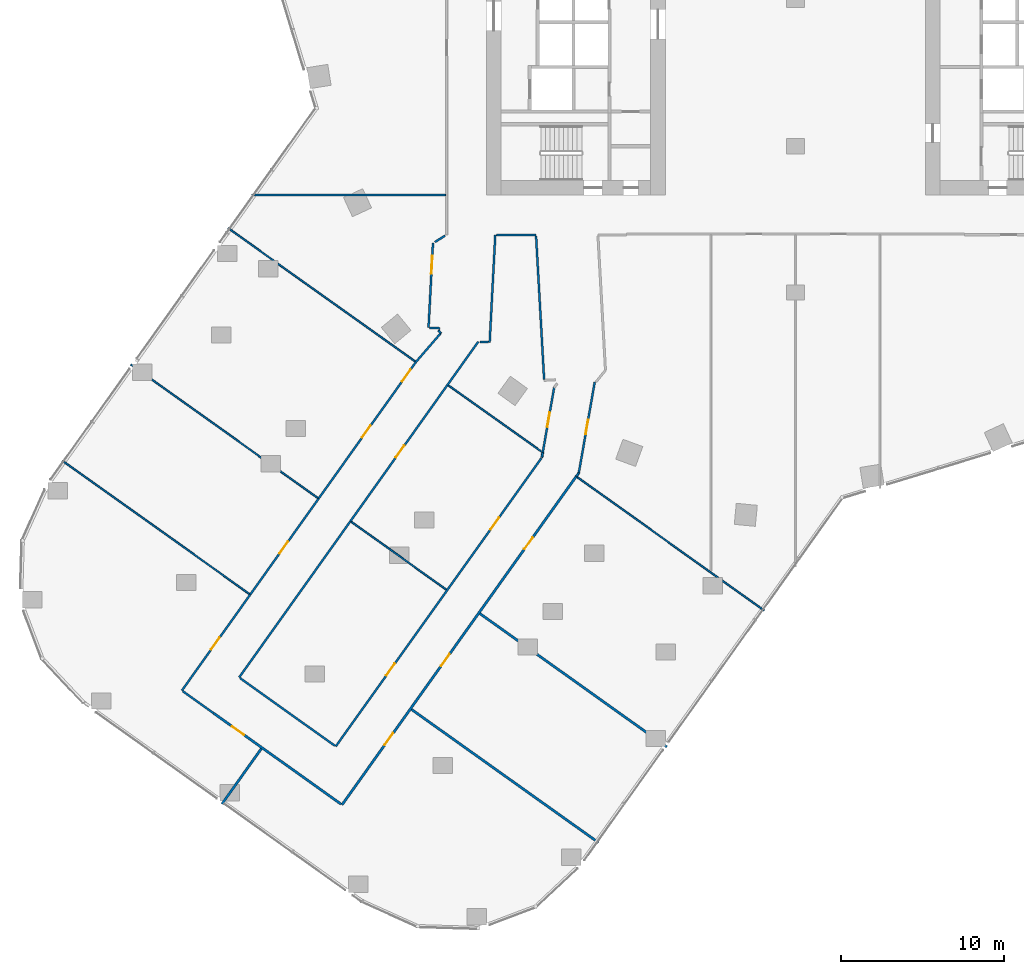
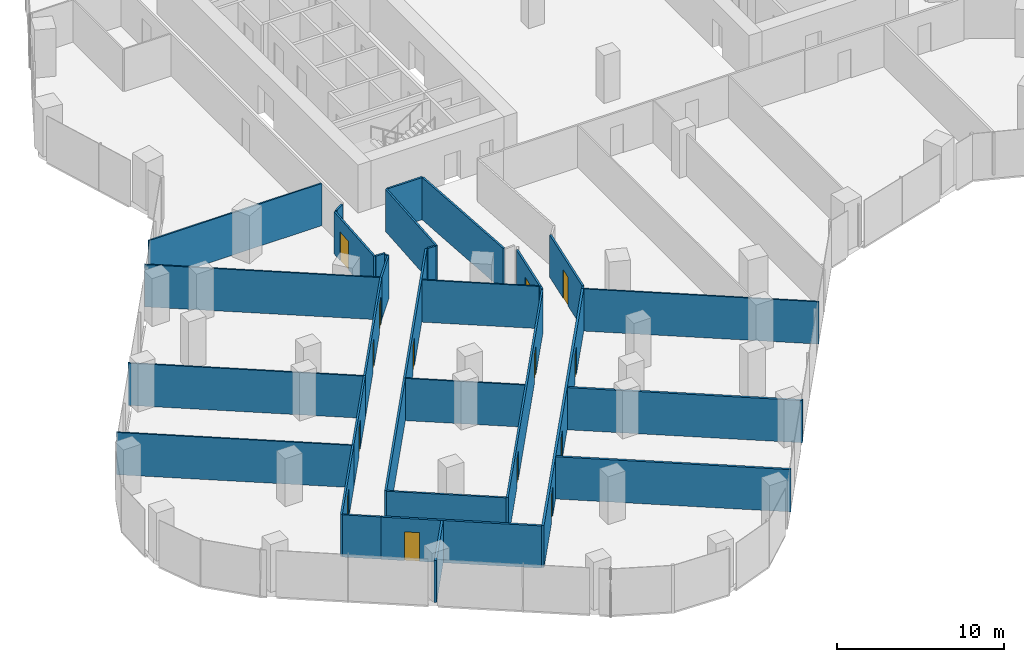
# One storey, part 23 of 31: 33 walls, 14 doors, 14 openings.
"""IFC4 building model written with IfcOpenShell, lengths in metres."""

from ifc_helpers import new_model, si_unit, direction, frame, frame_2d, origin, place, context, subcontext, project, spatial, rectangle, extrude, material, layer, layer_set, type_object, element, fill, save


model = new_model("IFC4")

# Units and contexts
model_context = context("Model", 3, precision=1e-05, world=origin(), true_north=direction((0.0, 1.0)))
body_context = subcontext(model_context, "Body", "Model", "MODEL_VIEW")
ifc_project = project(units=[si_unit("LENGTHUNIT", "METRE"), si_unit("AREAUNIT", "SQUARE_METRE"), si_unit("VOLUMEUNIT", "CUBIC_METRE"), si_unit("PLANEANGLEUNIT", "RADIAN"), si_unit("MASSUNIT", "GRAM", prefix="KILO")], contexts=[model_context])

# Site, building, storey
site_placement = place(None, origin())
site = spatial("IfcSite", under=ifc_project, at=site_placement, CompositionType="ELEMENT")
building_placement = place(site_placement, origin())
building = spatial("IfcBuilding", under=site, at=building_placement, Name="Orlundy Tower", CompositionType="ELEMENT")
storey_placement = place(building_placement, frame((0.0, 0.0, 84.199951171875)))
storey = spatial("IfcBuildingStorey", under=building, at=storey_placement, Name="L20", CompositionType="ELEMENT", Elevation=84.199951171875)

# Walls
ifc_material_1 = material(Name="Gypsum board partition")
ifc_layer_1 = layer(ifc_material_1, 0.10009765625)
ifc_layer_set_1 = layer_set([ifc_layer_1], Name="Floor partition 100")
wall_type_1 = type_object("IfcWallType", Name="Floor partition 100", PredefinedType="PARTITIONING", material=ifc_layer_set_1)
wall_1_placement = place(storey_placement, frame((-45.091064453125, -28.343994140625, 0.0), z_axis=(0.0, 0.0, 1.0), x_axis=(0.814507796702, -0.580152608468, 0.0)))
element("IfcWall", 1, at=wall_1_placement, inside=storey, type_object=wall_type_1, Name="wall-int-L20-007", PredefinedType="PARTITIONING", context=body_context, shape_type="SweptSolid", body=[
    extrude(rectangle(XDim=14.13232421875, YDim=0.10009765625, at=frame_2d((7.066162109375, 0.0))), origin(), (0.0, 0.0, 1.0), 3.080078125),
])
wall_2_placement = place(storey_placement, frame((-40.875, -22.43310546875, 0.0), z_axis=(0.0, 0.0, 1.0), x_axis=(0.814073113892, -0.580762399987, 0.0)))
element("IfcWall", 2, at=wall_2_placement, inside=storey, type_object=wall_type_1, Name="wall-int-L20-009", PredefinedType="PARTITIONING", context=body_context, shape_type="SweptSolid", body=[
    extrude(rectangle(XDim=14.127685546875, YDim=0.10009765625, at=frame_2d((7.06396484375, 0.0))), origin(), (0.0, 0.0, 1.0), 3.080078125),
])
wall_3_placement = place(storey_placement, frame((-27.31689453125, -32.10400390625, 0.0), z_axis=(0.0, 0.0, 1.0), x_axis=(0.814075490276, -0.58075906892, 0.0)))
element("IfcWall", 3, at=wall_3_placement, inside=storey, type_object=wall_type_1, Name="wall-int-L20-010", PredefinedType="PARTITIONING", context=body_context, shape_type="SweptSolid", body=[
    extrude(rectangle(XDim=7.18359375, YDim=0.10009765625, at=frame_2d((3.591796875, 0.0))), origin(), (0.0, 0.0, 1.0), 3.080078125),
])
wall_4_placement = place(storey_placement, frame((-34.889892578125, -14.04296875, 0.0), z_axis=(0.0, 0.0, 1.0), x_axis=(0.814114134431, -0.580704895898, 0.0)))
element("IfcWall", 4, at=wall_4_placement, inside=storey, type_object=wall_type_1, Name="wall-int-L20-012", PredefinedType="PARTITIONING", context=body_context, shape_type="SweptSolid", body=[
    extrude(rectangle(XDim=14.12060546875, YDim=0.10009765625, at=frame_2d((7.060302734375, 0.0))), origin(), (0.0, 0.0, 1.0), 3.080078125),
])
wall_5_placement = place(storey_placement, frame((-21.337890625, -23.708984375, 0.0), z_axis=(0.0, 0.0, 1.0), x_axis=(0.814120490143, -0.580695985461, 0.0)))
element("IfcWall", 5, at=wall_5_placement, inside=storey, type_object=wall_type_1, Name="wall-int-L20-013", PredefinedType="PARTITIONING", context=body_context, shape_type="SweptSolid", body=[
    extrude(rectangle(XDim=7.029541015625, YDim=0.10009765625, at=frame_2d((3.5146484375, 0.0))), origin(), (0.0, 0.0, 1.0), 3.080078125),
])
wall_6_placement = place(storey_placement, frame((-13.4169921875, -29.35888671875, 0.0), z_axis=(0.0, 0.0, 1.0), x_axis=(0.814093047319, -0.580734457655, 0.0)))
element("IfcWall", 6, at=wall_6_placement, inside=storey, type_object=wall_type_1, Name="wall-int-L20-014", PredefinedType="PARTITIONING", context=body_context, shape_type="SweptSolid", body=[
    extrude(rectangle(XDim=14.123779296875, YDim=0.10009765625, at=frame_2d((7.06201171875, 0.0))), origin(), (0.0, 0.0, 1.0), 3.080078125),
])
wall_7_placement = place(storey_placement, frame((-33.43310546875, -12.0, 0.0), z_axis=(0.0, 0.0, 1.0), x_axis=(1.0, 0.0, 0.0)))
element("IfcWall", 7, at=wall_7_placement, inside=storey, type_object=wall_type_1, Name="wall-int-L20-035", PredefinedType="PARTITIONING", context=body_context, shape_type="SweptSolid", body=[
    extrude(rectangle(XDim=11.921142578125, YDim=0.10009765625, at=frame_2d((5.96044921875, 0.0))), origin(), (0.0, 0.0, 1.0), 3.080078125),
])
ifc_material_2 = material(Name="Gypsum board partition, double layer")
ifc_layer_2 = layer(ifc_material_2, 0.125)
ifc_layer_set_2 = layer_set([ifc_layer_2], Name="Floor partition 125")
wall_type_2 = type_object("IfcWallType", Name="Floor partition 125", PredefinedType="PARTITIONING", material=ifc_layer_set_2)
wall_8_placement = place(storey_placement, frame((-15.455078125, -23.341064453125, 0.0), z_axis=(0.0, 0.0, 1.0), x_axis=(-0.056078648391, 0.998426354417, 0.0)))
element("IfcWall", 8, at=wall_8_placement, inside=storey, type_object=wall_type_2, Name="wall-int-L20-001", PredefinedType="PARTITIONING", context=body_context, shape_type="SweptSolid", body=[
    extrude(rectangle(XDim=8.842041015625, YDim=0.125, at=frame_2d((4.4208984375, 0.0))), origin(), (0.0, 0.0, 1.0), 3.080078125),
])
wall_9_placement = place(storey_placement, frame((-21.955078125, -20.330078125, 0.0), z_axis=(0.0, 0.0, 1.0), x_axis=(0.635933908165, -0.771743522451, 0.0)))
element("IfcWall", 9, at=wall_9_placement, inside=storey, type_object=wall_type_2, Name="wall-int-L20-003", PredefinedType="PARTITIONING", context=body_context, shape_type="SweptSolid", body=[
    extrude(rectangle(XDim=0.2265625, YDim=0.125, at=frame_2d((0.11328125, 0.0))), origin(), (0.0, 0.0, 1.0), 3.080078125),
])
wall_10_placement = place(storey_placement, frame((-37.68505859375, -42.52099609375, 0.0), z_axis=(0.0, 0.0, 1.0), x_axis=(0.81441767076, -0.580279120385, 0.0)))
element("IfcWall", 10, at=wall_10_placement, inside=storey, type_object=wall_type_2, Name="wall-int-L20-004", PredefinedType="PARTITIONING", context=body_context, shape_type="SweptSolid", body=[
    extrude(rectangle(XDim=2.336669921875, YDim=0.125, at=frame_2d((1.16845703125, 0.0))), origin(), (0.0, 0.0, 1.0), 3.080078125),
])
wall_11_placement = place(storey_placement, frame((-34.1630859375, -41.715087890625, 0.0), z_axis=(0.0, 0.0, 1.0), x_axis=(0.814121788358, -0.580694165393, 0.0)))
element("IfcWall", 11, at=wall_11_placement, inside=storey, type_object=wall_type_2, Name="wall-int-L20-006", PredefinedType="PARTITIONING", context=body_context, shape_type="SweptSolid", body=[
    extrude(rectangle(XDim=7.17578125, YDim=0.125, at=frame_2d((3.587890625, 0.0))), origin(), (0.0, 0.0, 1.0), 3.080078125),
])
wall_12_placement = place(storey_placement, frame((-19.389892578125, -21.031982421875, 0.0), z_axis=(0.0, 0.0, 1.0), x_axis=(0.998561899865, -0.053610932999, 0.0)))
element("IfcWall", 12, at=wall_12_placement, inside=storey, type_object=wall_type_2, Name="wall-int-L20-029", PredefinedType="PARTITIONING", context=body_context, shape_type="SweptSolid", body=[
    extrude(rectangle(XDim=0.523681640625, YDim=0.125, at=frame_2d((0.26171875, 0.0))), origin(), (0.0, 0.0, 1.0), 3.080078125),
])
wall_13_placement = place(storey_placement, frame((-22.5009765625, -20.1689453125, 0.0), z_axis=(0.0, 0.0, 1.0), x_axis=(0.998579445261, -0.05328312587, 0.0)))
element("IfcWall", 13, at=wall_13_placement, inside=storey, type_object=wall_type_2, Name="wall-int-L20-030", PredefinedType="PARTITIONING", context=body_context, shape_type="SweptSolid", body=[
    extrude(rectangle(XDim=0.636962890625, YDim=0.125, at=frame_2d((0.318359375, 0.0))), origin(), (0.0, 0.0, 1.0), 3.080078125),
])
wall_14_placement = place(storey_placement, frame((-18.39501953125, -14.450927734375, 0.0), z_axis=(0.0, 0.0, 1.0), x_axis=(1.0, 0.0, 0.0)))
element("IfcWall", 14, at=wall_14_placement, inside=storey, type_object=wall_type_2, Name="wall-int-L20-031", PredefinedType="PARTITIONING", context=body_context, shape_type="SweptSolid", body=[
    extrude(rectangle(XDim=2.44091796875, YDim=0.125, at=frame_2d((1.220458984375, 0.0))), origin(), (0.0, 0.0, 1.0), 3.080078125),
])
wall_15_placement = place(storey_placement, frame((-22.1708984375, -14.89599609375, 0.0), z_axis=(0.0, 0.0, 1.0), x_axis=(0.847104786715, 0.53142589354, 0.0)))
element("IfcWall", 15, at=wall_15_placement, inside=storey, type_object=wall_type_2, Name="wall-int-L20-044", PredefinedType="PARTITIONING", context=body_context, shape_type="SweptSolid", body=[
    extrude(rectangle(XDim=0.73779296875, YDim=0.125, at=frame_2d((0.368896484375, 0.0))), origin(), (0.0, 0.0, 1.0), 3.080078125),
])
wall_16_placement = place(storey_placement, frame((-21.81103515625, -20.5048828125, 0.0), z_axis=(0.0, 0.0, 1.0), x_axis=(-0.65355749983, -0.756876868728, 0.0)))
element("IfcWall", 16, at=wall_16_placement, inside=storey, type_object=wall_type_2, Name="wall-int-L20-045", PredefinedType="PARTITIONING", context=body_context, shape_type="SweptSolid", body=[
    extrude(rectangle(XDim=2.343994140625, YDim=0.125, at=frame_2d((1.171875, 0.0))), origin(), (0.0, 0.0, 1.0), 3.080078125),
])
wall_17_placement = place(storey_placement, frame((-13.47802734375, -29.31494140625, 0.0), z_axis=(0.0, 0.0, 1.0), x_axis=(0.581578261401, 0.813490458374, 0.0)))
element("IfcWall", 17, at=wall_17_placement, inside=storey, type_object=wall_type_2, Name="wall-int-L20-048", PredefinedType="PARTITIONING", context=body_context, shape_type="SweptSolid", body=[
    extrude(rectangle(XDim=0.271484375, YDim=0.125, at=frame_2d((0.1357421875, 0.0))), origin(), (0.0, 0.0, 1.0), 3.080078125),
])

# Wall, openings, doors
wall_18_placement = place(storey_placement, frame((-28.27001953125, -45.91796875, 0.0), z_axis=(0.0, 0.0, 1.0), x_axis=(0.580725722128, 0.814099278749, 0.0)))
wall_18 = element("IfcWall", 18, at=wall_18_placement, inside=storey, type_object=wall_type_2, Name="wall-int-L20-050", PredefinedType="PARTITIONING", context=body_context, shape_type="SweptSolid", body=[
    extrude(rectangle(XDim=21.771240234375, YDim=0.125, at=frame_2d((10.8857421875, 0.0))), origin(), (0.0, 0.0, 1.0), 3.080078125),
])
opening_1_placement = place(wall_18_placement, frame((16.3994140625, 0.0, 0.0)))
opening_1 = element("IfcOpeningElement", 19, at=opening_1_placement, cuts=wall_18, Name="Opening 17113", PredefinedType="OPENING", context=body_context, shape_type="SweptSolid", body=[
    extrude(rectangle(XDim=0.89990234375, YDim=2.10009765625, at=frame_2d((0.449951171875, 1.050048828125))), frame((0.0, 0.072509765625, 0.0), z_axis=(0.0, -1.0, 0.0), x_axis=(1.0, 0.0, 0.0)), (0.0, 0.0, 1.0), 0.14501953125),
])
opening_2_placement = place(wall_18_placement, frame((5.35009765625, 0.0, 0.0)))
opening_2 = element("IfcOpeningElement", 20, at=opening_2_placement, cuts=wall_18, Name="Opening 17116", PredefinedType="OPENING", context=body_context, shape_type="SweptSolid", body=[
    extrude(rectangle(XDim=0.89990234375, YDim=2.10009765625, at=frame_2d((0.449951171875, 1.050048828125))), frame((0.0, 0.072509765625, 0.0), z_axis=(0.0, -1.0, 0.0), x_axis=(1.0, 0.0, 0.0)), (0.0, 0.0, 1.0), 0.14501953125),
])
ifc_material_3 = material(Name="Timber door leaf", Category="wood")
door_type_1 = type_object("IfcDoorType", Name="Floor door single 900 FD30S", OperationType="NOTDEFINED", PredefinedType="DOOR", material=ifc_material_3)
door_1_placement = place(opening_1_placement, origin())
door_1 = element("IfcDoor", 21, at=door_1_placement, inside=storey, type_object=door_type_1, Name="Door 17113", OperationType="SINGLE_SWING_RIGHT", OverallHeight=2.10009765625, OverallWidth=0.89990234375, PredefinedType="DOOR", context=body_context, shape_type="SweptSolid", body=[
    extrude(rectangle(XDim=0.89990234375, YDim=2.10009765625, at=frame_2d((0.449951171875, 1.050048828125))), frame((0.0, 0.02490234375, 0.0), z_axis=(0.0, -1.0, 0.0), x_axis=(1.0, 0.0, 0.0)), (0.0, 0.0, 1.0), 0.050048828125),
])
fill(opening_1, door_1)
door_2_placement = place(opening_2_placement, origin())
door_2 = element("IfcDoor", 22, at=door_2_placement, inside=storey, type_object=door_type_1, Name="Door 17116", OperationType="SINGLE_SWING_LEFT", OverallHeight=2.10009765625, OverallWidth=0.89990234375, PredefinedType="DOOR", context=body_context, shape_type="SweptSolid", body=[
    extrude(rectangle(XDim=0.89990234375, YDim=2.10009765625, at=frame_2d((0.449951171875, 1.050048828125))), frame((0.0, 0.02490234375, 0.0), z_axis=(0.0, -1.0, 0.0), x_axis=(1.0, 0.0, 0.0)), (0.0, 0.0, 1.0), 0.050048828125),
])
fill(opening_2, door_2)

# Wall
wall_19_placement = place(storey_placement, frame((-34.214111328125, -41.678955078125, 0.0), z_axis=(0.0, 0.0, 1.0), x_axis=(0.580188672361, 0.81448210813, 0.0)))
element("IfcWall", 23, at=wall_19_placement, inside=storey, type_object=wall_type_2, Name="wall-int-L20-052", PredefinedType="PARTITIONING", context=body_context, shape_type="SweptSolid", body=[
    extrude(rectangle(XDim=11.800048828125, YDim=0.125, at=frame_2d((5.89990234375, 0.0))), origin(), (0.0, 0.0, 1.0), 3.080078125),
])

# Wall, opening, door
wall_20_placement = place(storey_placement, frame((-19.50390625, -21.02587890625, 0.0), z_axis=(0.0, 0.0, 1.0), x_axis=(-0.580099628217, -0.814545530552, 0.0)))
wall_20 = element("IfcWall", 24, at=wall_20_placement, inside=storey, type_object=wall_type_2, Name="wall-int-L20-053", PredefinedType="PARTITIONING", context=body_context, shape_type="SweptSolid", body=[
    extrude(rectangle(XDim=13.556396484375, YDim=0.125, at=frame_2d((6.7783203125, 0.0))), origin(), (0.0, 0.0, 1.0), 3.080078125),
])
opening_3_placement = place(wall_20_placement, frame((7.849853515625, 0.0, 0.0)))
opening_3 = element("IfcOpeningElement", 25, at=opening_3_placement, cuts=wall_20, Name="Opening 17112", PredefinedType="OPENING", context=body_context, shape_type="SweptSolid", body=[
    extrude(rectangle(XDim=0.89990234375, YDim=2.10009765625, at=frame_2d((0.449951171875, 1.050048828125))), frame((0.0, 0.072509765625, 0.0), z_axis=(0.0, -1.0, 0.0), x_axis=(1.0, 0.0, 0.0)), (0.0, 0.0, 1.0), 0.14501953125),
])
door_3_placement = place(opening_3_placement, origin())
door_3 = element("IfcDoor", 26, at=door_3_placement, inside=storey, type_object=door_type_1, Name="Door 17112", OperationType="SINGLE_SWING_RIGHT", OverallHeight=2.10009765625, OverallWidth=0.89990234375, PredefinedType="DOOR", context=body_context, shape_type="SweptSolid", body=[
    extrude(rectangle(XDim=0.89990234375, YDim=2.10009765625, at=frame_2d((0.449951171875, 1.050048828125))), frame((0.0, 0.02490234375, 0.0), z_axis=(0.0, -1.0, 0.0), x_axis=(1.0, 0.0, 0.0)), (0.0, 0.0, 1.0), 0.050048828125),
])
fill(opening_3, door_3)

wall_21_placement = place(storey_placement, frame((-37.736083984375, -42.485107421875, 0.0), z_axis=(0.0, 0.0, 1.0), x_axis=(0.580183503548, 0.814485790061, 0.0)))
wall_21 = element("IfcWall", 27, at=wall_21_placement, inside=storey, type_object=wall_type_2, Name="wall-int-L20-054", PredefinedType="PARTITIONING", context=body_context, shape_type="SweptSolid", body=[
    extrude(rectangle(XDim=7.251220703125, YDim=0.125, at=frame_2d((3.62548828125, 0.0))), origin(), (0.0, 0.0, 1.0), 3.080078125),
])
opening_4_placement = place(wall_21_placement, frame((3.10009765625, 0.0, 0.0)))
opening_4 = element("IfcOpeningElement", 28, at=opening_4_placement, cuts=wall_21, Name="Opening 17118", PredefinedType="OPENING", context=body_context, shape_type="SweptSolid", body=[
    extrude(rectangle(XDim=0.89990234375, YDim=2.10009765625, at=frame_2d((0.449951171875, 1.050048828125))), frame((0.0, 0.072509765625, 0.0), z_axis=(0.0, -1.0, 0.0), x_axis=(1.0, 0.0, 0.0)), (0.0, 0.0, 1.0), 0.14501953125),
])
door_4_placement = place(opening_4_placement, origin())
door_4 = element("IfcDoor", 29, at=door_4_placement, inside=storey, type_object=door_type_1, Name="Door 17118", OperationType="SINGLE_SWING_LEFT", OverallHeight=2.10009765625, OverallWidth=0.89990234375, PredefinedType="DOOR", context=body_context, shape_type="SweptSolid", body=[
    extrude(rectangle(XDim=0.89990234375, YDim=2.10009765625, at=frame_2d((0.449951171875, 1.050048828125))), frame((0.0, 0.02490234375, 0.0), z_axis=(0.0, -1.0, 0.0), x_axis=(1.0, 0.0, 0.0)), (0.0, 0.0, 1.0), 0.050048828125),
])
fill(opening_4, door_4)

# Wall, openings, doors
wall_22_placement = place(storey_placement, frame((-29.322998046875, -30.674072265625, 0.0), z_axis=(0.0, 0.0, 1.0), x_axis=(0.580180127153, 0.814488195161, 0.0)))
wall_22 = element("IfcWall", 30, at=wall_22_placement, inside=storey, type_object=wall_type_2, Name="wall-int-L20-055", PredefinedType="PARTITIONING", context=body_context, shape_type="SweptSolid", body=[
    extrude(rectangle(XDim=10.30712890625, YDim=0.125, at=frame_2d((5.153564453125, 0.0))), origin(), (0.0, 0.0, 1.0), 3.080078125),
])
opening_5_placement = place(wall_22_placement, frame((4.60009765625, 0.0, 0.0)))
opening_5 = element("IfcOpeningElement", 31, at=opening_5_placement, cuts=wall_22, Name="Opening 17120", PredefinedType="OPENING", context=body_context, shape_type="SweptSolid", body=[
    extrude(rectangle(XDim=0.89990234375, YDim=2.10009765625, at=frame_2d((0.449951171875, 1.050048828125))), frame((0.0, 0.072509765625, 0.0), z_axis=(0.0, -1.0, 0.0), x_axis=(1.0, 0.0, 0.0)), (0.0, 0.0, 1.0), 0.14501953125),
])
opening_6_placement = place(wall_22_placement, frame((8.85009765625, 0.0, 0.0)))
opening_6 = element("IfcOpeningElement", 32, at=opening_6_placement, cuts=wall_22, Name="Opening 17121", PredefinedType="OPENING", context=body_context, shape_type="SweptSolid", body=[
    extrude(rectangle(XDim=0.89990234375, YDim=2.10009765625, at=frame_2d((0.449951171875, 1.050048828125))), frame((0.0, 0.072509765625, 0.0), z_axis=(0.0, -1.0, 0.0), x_axis=(1.0, 0.0, 0.0)), (0.0, 0.0, 1.0), 0.14501953125),
])
door_5_placement = place(opening_5_placement, origin())
door_5 = element("IfcDoor", 33, at=door_5_placement, inside=storey, type_object=door_type_1, Name="Door 17120", OperationType="SINGLE_SWING_LEFT", OverallHeight=2.10009765625, OverallWidth=0.89990234375, PredefinedType="DOOR", context=body_context, shape_type="SweptSolid", body=[
    extrude(rectangle(XDim=0.89990234375, YDim=2.10009765625, at=frame_2d((0.449951171875, 1.050048828125))), frame((0.0, 0.02490234375, 0.0), z_axis=(0.0, -1.0, 0.0), x_axis=(1.0, 0.0, 0.0)), (0.0, 0.0, 1.0), 0.050048828125),
])
fill(opening_5, door_5)
door_6_placement = place(opening_6_placement, origin())
door_6 = element("IfcDoor", 34, at=door_6_placement, inside=storey, type_object=door_type_1, Name="Door 17121", OperationType="SINGLE_SWING_RIGHT", OverallHeight=2.10009765625, OverallWidth=0.89990234375, PredefinedType="DOOR", context=body_context, shape_type="SweptSolid", body=[
    extrude(rectangle(XDim=0.89990234375, YDim=2.10009765625, at=frame_2d((0.449951171875, 1.050048828125))), frame((0.0, 0.02490234375, 0.0), z_axis=(0.0, -1.0, 0.0), x_axis=(1.0, 0.0, 0.0)), (0.0, 0.0, 1.0), 0.050048828125),
])
fill(opening_6, door_6)

# Wall, opening, door
wall_23_placement = place(storey_placement, frame((-33.529052734375, -36.5791015625, 0.0), z_axis=(0.0, 0.0, 1.0), x_axis=(0.580157797449, 0.814504100702, 0.0)))
wall_23 = element("IfcWall", 35, at=wall_23_placement, inside=storey, type_object=wall_type_2, Name="wall-int-L20-056", PredefinedType="PARTITIONING", context=body_context, shape_type="SweptSolid", body=[
    extrude(rectangle(XDim=7.249755859375, YDim=0.125, at=frame_2d((3.625, 0.0))), origin(), (0.0, 0.0, 1.0), 3.080078125),
])
opening_7_placement = place(wall_23_placement, frame((3.10009765625, 0.0, 0.0)))
opening_7 = element("IfcOpeningElement", 36, at=opening_7_placement, cuts=wall_23, Name="Opening 17115", PredefinedType="OPENING", context=body_context, shape_type="SweptSolid", body=[
    extrude(rectangle(XDim=0.89990234375, YDim=2.10009765625, at=frame_2d((0.449951171875, 1.050048828125))), frame((0.0, 0.072509765625, 0.0), z_axis=(0.0, -1.0, 0.0), x_axis=(1.0, 0.0, 0.0)), (0.0, 0.0, 1.0), 0.14501953125),
])
door_7_placement = place(opening_7_placement, origin())
door_7 = element("IfcDoor", 37, at=door_7_placement, inside=storey, type_object=door_type_1, Name="Door 17115", OperationType="SINGLE_SWING_LEFT", OverallHeight=2.10009765625, OverallWidth=0.89990234375, PredefinedType="DOOR", context=body_context, shape_type="SweptSolid", body=[
    extrude(rectangle(XDim=0.89990234375, YDim=2.10009765625, at=frame_2d((0.449951171875, 1.050048828125))), frame((0.0, 0.02490234375, 0.0), z_axis=(0.0, -1.0, 0.0), x_axis=(1.0, 0.0, 0.0)), (0.0, 0.0, 1.0), 0.050048828125),
])
fill(opening_7, door_7)

wall_24_placement = place(storey_placement, frame((-12.341064453125, -23.507080078125, 0.0), z_axis=(0.0, 0.0, 1.0), x_axis=(-0.172630951449, -0.984986575849, 0.0)))
wall_24 = element("IfcWall", 38, at=wall_24_placement, inside=storey, type_object=wall_type_2, Name="wall-int-L20-070", PredefinedType="PARTITIONING", context=body_context, shape_type="SweptSolid", body=[
    extrude(rectangle(XDim=5.671142578125, YDim=0.125, at=frame_2d((2.83544921875, 0.0))), origin(), (0.0, 0.0, 1.0), 3.080078125),
])
opening_8_placement = place(wall_24_placement, frame((2.35009765625, 0.0, 0.0)))
opening_8 = element("IfcOpeningElement", 39, at=opening_8_placement, cuts=wall_24, Name="Opening 17125", PredefinedType="OPENING", context=body_context, shape_type="SweptSolid", body=[
    extrude(rectangle(XDim=0.89990234375, YDim=2.10009765625, at=frame_2d((0.449951171875, 1.050048828125))), frame((0.0, 0.072509765625, 0.0), z_axis=(0.0, -1.0, 0.0), x_axis=(1.0, 0.0, 0.0)), (0.0, 0.0, 1.0), 0.14501953125),
])
door_8_placement = place(opening_8_placement, origin())
door_8 = element("IfcDoor", 40, at=door_8_placement, inside=storey, type_object=door_type_1, Name="Door 17125", OperationType="SINGLE_SWING_LEFT", OverallHeight=2.10009765625, OverallWidth=0.89990234375, PredefinedType="DOOR", context=body_context, shape_type="SweptSolid", body=[
    extrude(rectangle(XDim=0.89990234375, YDim=2.10009765625, at=frame_2d((0.449951171875, 1.050048828125))), frame((0.0, 0.02490234375, 0.0), z_axis=(0.0, -1.0, 0.0), x_axis=(1.0, 0.0, 0.0)), (0.0, 0.0, 1.0), 0.050048828125),
])
fill(opening_8, door_8)

wall_25_placement = place(storey_placement, frame((-15.5390625, -27.844970703125, 0.0), z_axis=(0.0, 0.0, 1.0), x_axis=(0.172636295387, 0.984985639243, 0.0)))
wall_25 = element("IfcWall", 41, at=wall_25_placement, inside=storey, type_object=wall_type_2, Name="wall-int-L20-071", PredefinedType="PARTITIONING", context=body_context, shape_type="SweptSolid", body=[
    extrude(rectangle(XDim=4.048828125, YDim=0.125, at=frame_2d((2.0244140625, 0.0))), origin(), (0.0, 0.0, 1.0), 3.080078125),
])
opening_9_placement = place(wall_25_placement, frame((1.60009765625, 0.0, 0.0)))
opening_9 = element("IfcOpeningElement", 42, at=opening_9_placement, cuts=wall_25, Name="Opening 17124", PredefinedType="OPENING", context=body_context, shape_type="SweptSolid", body=[
    extrude(rectangle(XDim=0.89990234375, YDim=2.10009765625, at=frame_2d((0.449951171875, 1.050048828125))), frame((0.0, 0.072509765625, 0.0), z_axis=(0.0, -1.0, 0.0), x_axis=(1.0, 0.0, 0.0)), (0.0, 0.0, 1.0), 0.14501953125),
])
door_9_placement = place(opening_9_placement, origin())
door_9 = element("IfcDoor", 43, at=door_9_placement, inside=storey, type_object=door_type_1, Name="Door 17124", OperationType="SINGLE_SWING_RIGHT", OverallHeight=2.10009765625, OverallWidth=0.89990234375, PredefinedType="DOOR", context=body_context, shape_type="SweptSolid", body=[
    extrude(rectangle(XDim=0.89990234375, YDim=2.10009765625, at=frame_2d((0.449951171875, 1.050048828125))), frame((0.0, 0.02490234375, 0.0), z_axis=(0.0, -1.0, 0.0), x_axis=(1.0, 0.0, 0.0)), (0.0, 0.0, 1.0), 0.050048828125),
])
fill(opening_9, door_9)

# Walls
wall_26_placement = place(storey_placement, frame((-15.591064453125, -28.14306640625, 0.0), z_axis=(0.0, 0.0, 1.0), x_axis=(0.171851888702, 0.985122798614, 0.0)))
element("IfcWall", 44, at=wall_26_placement, inside=storey, type_object=wall_type_2, Name="wall-int-L20-072", PredefinedType="PARTITIONING", context=body_context, shape_type="SweptSolid", body=[
    extrude(rectangle(XDim=0.302490234375, YDim=0.125, at=frame_2d((0.1513671875, 0.0))), origin(), (0.0, 0.0, 1.0), 3.080078125),
])
wall_27_placement = place(storey_placement, frame((-18.803955078125, -21.06298828125, 0.0), z_axis=(0.0, 0.0, 1.0), x_axis=(0.052281905806, 0.998632365951, 0.0)))
element("IfcWall", 45, at=wall_27_placement, inside=storey, type_object=wall_type_2, Name="wall-int-L20-075", PredefinedType="PARTITIONING", context=body_context, shape_type="SweptSolid", body=[
    extrude(rectangle(XDim=6.616943359375, YDim=0.125, at=frame_2d((3.30859375, 0.0))), origin(), (0.0, 0.0, 1.0), 3.080078125),
])

# Wall, opening, door
wall_28_placement = place(storey_placement, frame((-22.56396484375, -20.166015625, 0.0), z_axis=(0.0, 0.0, 1.0), x_axis=(0.052553916269, 0.998618088102, 0.0)))
wall_28 = element("IfcWall", 46, at=wall_28_placement, inside=storey, type_object=wall_type_2, Name="wall-int-L20-076", PredefinedType="PARTITIONING", context=body_context, shape_type="SweptSolid", body=[
    extrude(rectangle(XDim=5.21240234375, YDim=0.125, at=frame_2d((2.606201171875, 0.0))), origin(), (0.0, 0.0, 1.0), 3.080078125),
])
opening_10_placement = place(wall_28_placement, frame((3.325439453125, 0.0, 0.0)))
opening_10 = element("IfcOpeningElement", 47, at=opening_10_placement, cuts=wall_28, Name="Opening 17123", PredefinedType="OPENING", context=body_context, shape_type="SweptSolid", body=[
    extrude(rectangle(XDim=1.10009765625, YDim=2.10009765625, at=frame_2d((0.550048828125, 1.050048828125))), frame((0.0, 0.072509765625, 0.0), z_axis=(0.0, -1.0, 0.0), x_axis=(1.0, 0.0, 0.0)), (0.0, 0.0, 1.0), 0.14501953125),
])
ifc_material_4 = material(Name="Timber door leaf", Category="wood")
door_type_2 = type_object("IfcDoorType", Name="Floor door xwide 1100 FD30S", OperationType="NOTDEFINED", PredefinedType="DOOR", material=ifc_material_4)
door_10_placement = place(opening_10_placement, origin())
door_10 = element("IfcDoor", 48, at=door_10_placement, inside=storey, type_object=door_type_2, Name="Door 17123", OperationType="SINGLE_SWING_RIGHT", OverallHeight=2.10009765625, OverallWidth=1.10009765625, PredefinedType="DOOR", context=body_context, shape_type="SweptSolid", body=[
    extrude(rectangle(XDim=1.10009765625, YDim=2.10009765625, at=frame_2d((0.550048828125, 1.050048828125))), frame((0.0, 0.02490234375, 0.0), z_axis=(0.0, -1.0, 0.0), x_axis=(1.0, 0.0, 0.0)), (0.0, 0.0, 1.0), 0.050048828125),
])
fill(opening_10, door_10)

ifc_material_5 = material(Name="Blockwork shaft wall", Category="masonry")
ifc_layer_3 = layer(ifc_material_5, 0.14990234375)
ifc_layer_set_3 = layer_set([ifc_layer_3], Name="Floor shaft wall 150")
wall_type_3 = type_object("IfcWallType", Name="Floor shaft wall 150", PredefinedType="PARTITIONING", material=ifc_layer_set_3)
wall_29_placement = place(storey_placement, frame((-27.946044921875, -49.467041015625, 0.0), z_axis=(0.0, 0.0, 1.0), x_axis=(-0.814125762823, 0.58068859323, 0.0)))
wall_29 = element("IfcWall", 49, at=wall_29_placement, inside=storey, type_object=wall_type_3, Name="wall-int-L20-005", PredefinedType="PARTITIONING", context=body_context, shape_type="SweptSolid", body=[
    extrude(rectangle(XDim=9.625, YDim=0.14990234375, at=frame_2d((4.8125, 0.0))), origin(), (0.0, 0.0, 1.0), 3.080078125),
])
opening_11_placement = place(wall_29_placement, frame((7.3203125, 0.0, 0.0)))
opening_11 = element("IfcOpeningElement", 50, at=opening_11_placement, cuts=wall_29, Name="Opening 17119", PredefinedType="OPENING", context=body_context, shape_type="SweptSolid", body=[
    extrude(rectangle(XDim=0.89990234375, YDim=2.10009765625, at=frame_2d((0.449951171875, 1.050048828125))), frame((0.0, 0.0849609375, 0.0), z_axis=(0.0, -1.0, 0.0), x_axis=(1.0, 0.0, 0.0)), (0.0, 0.0, 1.0), 0.169921875),
])
ifc_material_6 = material(Name="Timber door leaf", Category="wood")
door_type_3 = type_object("IfcDoorType", Name="Floor door single 900 FD60", OperationType="NOTDEFINED", PredefinedType="DOOR", material=ifc_material_6)
door_11_placement = place(opening_11_placement, origin())
door_11 = element("IfcDoor", 51, at=door_11_placement, inside=storey, type_object=door_type_3, Name="Door 17119", OperationType="SINGLE_SWING_RIGHT", OverallHeight=2.10009765625, OverallWidth=0.89990234375, PredefinedType="DOOR", context=body_context, shape_type="SweptSolid", body=[
    extrude(rectangle(XDim=0.89990234375, YDim=2.10009765625, at=frame_2d((0.449951171875, 1.050048828125))), frame((0.0, 0.02490234375, 0.0), z_axis=(0.0, -1.0, 0.0), x_axis=(1.0, 0.0, 0.0)), (0.0, 0.0, 1.0), 0.050048828125),
])
fill(opening_11, door_11)

# Walls
wall_30_placement = place(storey_placement, frame((-23.60791015625, -43.64599609375, 0.0), z_axis=(0.0, 0.0, 1.0), x_axis=(0.81453511172, -0.580114257517, 0.0)))
element("IfcWall", 52, at=wall_30_placement, inside=storey, type_object=wall_type_3, Name="wall-int-L20-008", PredefinedType="PARTITIONING", context=body_context, shape_type="SweptSolid", body=[
    extrude(rectangle(XDim=14.123291015625, YDim=0.14990234375, at=frame_2d((7.0615234375, 0.0))), origin(), (0.0, 0.0, 1.0), 3.080078125),
])
wall_31_placement = place(storey_placement, frame((-19.403076171875, -37.75, 0.0), z_axis=(0.0, 0.0, 1.0), x_axis=(0.814124535662, -0.580690313707, 0.0)))
element("IfcWall", 53, at=wall_31_placement, inside=storey, type_object=wall_type_3, Name="wall-int-L20-011", PredefinedType="PARTITIONING", context=body_context, shape_type="SweptSolid", body=[
    extrude(rectangle(XDim=14.12451171875, YDim=0.14990234375, at=frame_2d((7.062255859375, 0.0))), origin(), (0.0, 0.0, 1.0), 3.080078125),
])

# Wall, openings, doors
wall_32_placement = place(storey_placement, frame((-13.47998046875, -29.31201171875, 0.0), z_axis=(0.0, 0.0, 1.0), x_axis=(-0.580603145907, -0.814186702767, 0.0)))
wall_32 = element("IfcWall", 54, at=wall_32_placement, inside=storey, type_object=wall_type_3, Name="wall-int-L20-049", PredefinedType="PARTITIONING", context=body_context, shape_type="SweptSolid", body=[
    extrude(rectangle(XDim=24.808837890625, YDim=0.14990234375, at=frame_2d((12.404296875, 0.0))), origin(), (0.0, 0.0, 1.0), 3.080078125),
])
opening_12_placement = place(wall_32_placement, frame((4.60107421875, 0.0, 0.0)))
opening_12 = element("IfcOpeningElement", 55, at=opening_12_placement, cuts=wall_32, Name="Opening 17111", PredefinedType="OPENING", context=body_context, shape_type="SweptSolid", body=[
    extrude(rectangle(XDim=0.89990234375, YDim=2.10009765625, at=frame_2d((0.449951171875, 1.050048828125))), frame((0.0, 0.0849609375, 0.0), z_axis=(0.0, -1.0, 0.0), x_axis=(1.0, 0.0, 0.0)), (0.0, 0.0, 1.0), 0.169921875),
])
opening_13_placement = place(wall_32_placement, frame((13.408447265625, 0.0, 0.0)))
opening_13 = element("IfcOpeningElement", 56, at=opening_13_placement, cuts=wall_32, Name="Opening 17114", PredefinedType="OPENING", context=body_context, shape_type="SweptSolid", body=[
    extrude(rectangle(XDim=0.89990234375, YDim=2.10009765625, at=frame_2d((0.449951171875, 1.050048828125))), frame((0.0, 0.0849609375, 0.0), z_axis=(0.0, -1.0, 0.0), x_axis=(1.0, 0.0, 0.0)), (0.0, 0.0, 1.0), 0.169921875),
])
opening_14_placement = place(wall_32_placement, frame((19.400390625, 0.0, 0.0)))
opening_14 = element("IfcOpeningElement", 57, at=opening_14_placement, cuts=wall_32, Name="Opening 17117", PredefinedType="OPENING", context=body_context, shape_type="SweptSolid", body=[
    extrude(rectangle(XDim=0.89990234375, YDim=2.10009765625, at=frame_2d((0.449951171875, 1.050048828125))), frame((0.0, 0.0849609375, 0.0), z_axis=(0.0, -1.0, 0.0), x_axis=(1.0, 0.0, 0.0)), (0.0, 0.0, 1.0), 0.169921875),
])
door_12_placement = place(opening_12_placement, origin())
door_12 = element("IfcDoor", 58, at=door_12_placement, inside=storey, type_object=door_type_3, Name="Door 17111", OperationType="SINGLE_SWING_LEFT", OverallHeight=2.10009765625, OverallWidth=0.89990234375, PredefinedType="DOOR", context=body_context, shape_type="SweptSolid", body=[
    extrude(rectangle(XDim=0.89990234375, YDim=2.10009765625, at=frame_2d((0.449951171875, 1.050048828125))), frame((0.0, 0.02490234375, 0.0), z_axis=(0.0, -1.0, 0.0), x_axis=(1.0, 0.0, 0.0)), (0.0, 0.0, 1.0), 0.050048828125),
])
fill(opening_12, door_12)
door_13_placement = place(opening_13_placement, origin())
door_13 = element("IfcDoor", 59, at=door_13_placement, inside=storey, type_object=door_type_3, Name="Door 17114", OperationType="SINGLE_SWING_RIGHT", OverallHeight=2.10009765625, OverallWidth=0.89990234375, PredefinedType="DOOR", context=body_context, shape_type="SweptSolid", body=[
    extrude(rectangle(XDim=0.89990234375, YDim=2.10009765625, at=frame_2d((0.449951171875, 1.050048828125))), frame((0.0, 0.02490234375, 0.0), z_axis=(0.0, -1.0, 0.0), x_axis=(1.0, 0.0, 0.0)), (0.0, 0.0, 1.0), 0.050048828125),
])
fill(opening_13, door_13)
door_14_placement = place(opening_14_placement, origin())
door_14 = element("IfcDoor", 60, at=door_14_placement, inside=storey, type_object=door_type_3, Name="Door 17117", OperationType="SINGLE_SWING_RIGHT", OverallHeight=2.10009765625, OverallWidth=0.89990234375, PredefinedType="DOOR", context=body_context, shape_type="SweptSolid", body=[
    extrude(rectangle(XDim=0.89990234375, YDim=2.10009765625, at=frame_2d((0.449951171875, 1.050048828125))), frame((0.0, 0.02490234375, 0.0), z_axis=(0.0, -1.0, 0.0), x_axis=(1.0, 0.0, 0.0)), (0.0, 0.0, 1.0), 0.050048828125),
])
fill(opening_14, door_14)

# Wall
wall_33_placement = place(storey_placement, frame((-35.27197265625, -49.4619140625, 0.0), z_axis=(0.0, 0.0, 1.0), x_axis=(0.579920767456, 0.814672881268, 0.0)))
element("IfcWall", 61, at=wall_33_placement, inside=storey, type_object=wall_type_3, Name="wall-int-L20-051", PredefinedType="PARTITIONING", context=body_context, shape_type="SweptSolid", body=[
    extrude(rectangle(XDim=4.174560546875, YDim=0.14990234375, at=frame_2d((2.08740234375, 0.0))), origin(), (0.0, 0.0, 1.0), 3.080078125),
])

save(model, "model.ifc")
